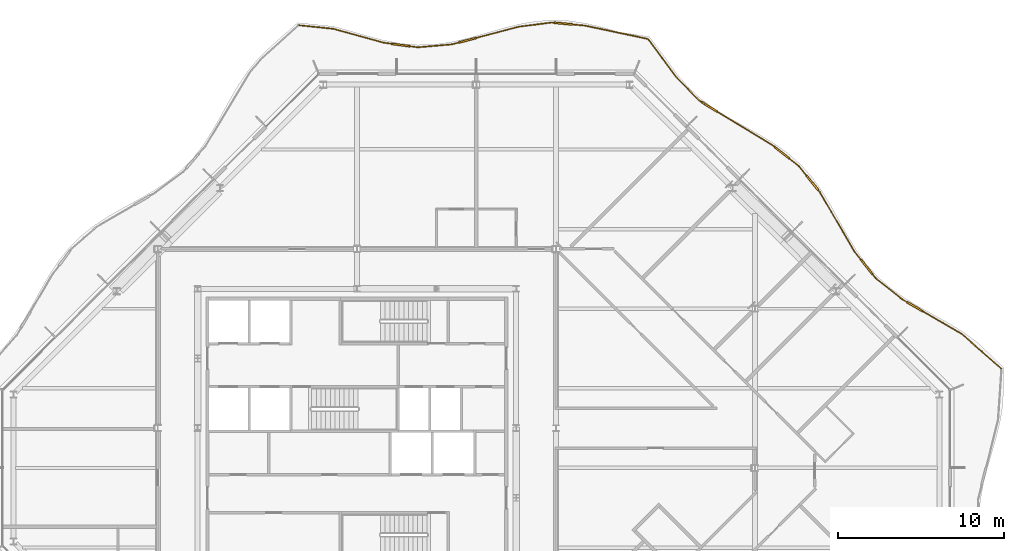
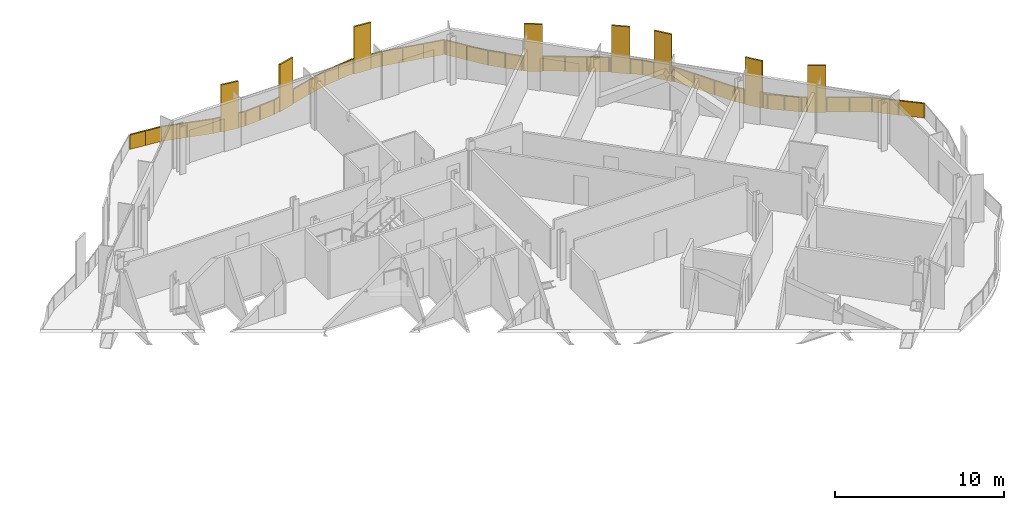
# One storey, part 17 of 17: 2 railings.
"""IFC4 building model written with IfcOpenShell, lengths in metres."""

from ifc_helpers import new_model, si_unit, direction, frame, origin, origin_2d, place, context, subcontext, project, spatial, polyline, rectangle, outline, extrude, material, type_object, element, save


model = new_model("IFC4")

# Units and contexts
model_context = context("Model", 3, precision=1e-05, world=origin(), true_north=direction((0.0, 1.0)))
body_context = subcontext(model_context, "Body", "Model", "MODEL_VIEW")
ifc_project = project(units=[si_unit("LENGTHUNIT", "METRE"), si_unit("AREAUNIT", "SQUARE_METRE"), si_unit("VOLUMEUNIT", "CUBIC_METRE"), si_unit("PLANEANGLEUNIT", "RADIAN"), si_unit("MASSUNIT", "GRAM", prefix="KILO")], contexts=[model_context])

# Site, building, storey
site_placement = place(None, origin())
site = spatial("IfcSite", under=ifc_project, at=site_placement, CompositionType="ELEMENT")
building_placement = place(site_placement, origin())
building = spatial("IfcBuilding", under=site, at=building_placement, Name="Cairn Pilgrim Tower", CompositionType="ELEMENT")
storey_placement = place(building_placement, frame((0.0, 0.0, 243.0)))
storey = spatial("IfcBuildingStorey", under=building, at=storey_placement, Name="L62", CompositionType="ELEMENT", Elevation=243.0)

# Railings
ifc_material = material(Name="Bronze anodised aluminium rail, posts and fin screens with laminated glass infill", Category="aluminium")
railing_type = type_object("IfcRailingType", Name="BALCONY GUARD WITH FIN SCREENS", PredefinedType="GUARDRAIL", material=ifc_material)
railing_1_placement = place(storey_placement, frame((46.045166015625, 5.978759765625, 0.0)))
element("IfcRailing", 1, at=railing_1_placement, inside=storey, type_object=railing_type, Name="Balcony guard BGF-3 with fin screens", PredefinedType="GUARDRAIL", context=body_context, shape_type="SweptSolid", body=[
    extrude(rectangle(XDim=0.050048828125, YDim=0.050048828125, at=origin_2d()), frame((0.0, 0.0, 1.0751953125), z_axis=(-0.751598432487, 0.659620948942, 0.0), x_axis=(-0.659620948942, -0.751598432487, 0.0)), (0.0, 0.0, 1.0), 3.171875),
    extrude(rectangle(XDim=1.10009765625, YDim=0.110107421875, at=origin_2d()), frame((-5.202880859375, 3.730712890625, 0.0), z_axis=(0.0, 0.0, 1.0), x_axis=(-0.864559393081, 0.502530651638, 0.0)), (0.0, 0.0, 1.0), 3.39990234375),
    extrude(rectangle(XDim=0.050048828125, YDim=0.050048828125, at=origin_2d()), frame((-2.384033203125, 2.09228515625, 1.0751953125), z_axis=(-0.864559393081, 0.502530651638, 0.0), x_axis=(-0.502530651638, -0.864559393081, 0.0)), (0.0, 0.0, 1.0), 2.71044921875),
    extrude(rectangle(XDim=0.050048828125, YDim=0.050048828125, at=origin_2d()), frame((-5.67822265625, 4.007080078125, 1.0751953125), z_axis=(-0.864559393081, 0.502530651638, 0.0), x_axis=(-0.502530651638, -0.864559393081, 0.0)), (0.0, 0.0, 1.0), 0.347900390625),
    extrude(rectangle(XDim=0.050048828125, YDim=0.050048828125, at=origin_2d()), frame((-5.97900390625, 4.181884765625, 1.0751953125), z_axis=(-0.780543571539, 0.625101378122, 0.0), x_axis=(-0.625101378122, -0.780543571539, 0.0)), (0.0, 0.0, 1.0), 2.05126953125),
    extrude(rectangle(XDim=1.10009765625, YDim=0.110107421875, at=origin_2d()), frame((-8.1171875, 6.13427734375, 0.0), z_axis=(0.0, 0.0, 1.0), x_axis=(-0.625434995338, 0.78027627582, 0.0)), (0.0, 0.0, 1.0), 3.39990234375),
    extrude(rectangle(XDim=0.050048828125, YDim=0.050048828125, at=origin_2d()), frame((-7.580078125, 5.464111328125, 1.0751953125), z_axis=(-0.625434995338, 0.78027627582, 0.0), x_axis=(-0.78027627582, -0.625434995338, 0.0)), (0.0, 0.0, 1.0), 0.308837890625),
    extrude(rectangle(XDim=0.050048828125, YDim=0.050048828125, at=origin_2d()), frame((-8.461181640625, 6.5634765625, 1.0751953125), z_axis=(-0.625434995338, 0.78027627582, 0.0), x_axis=(-0.78027627582, -0.625434995338, 0.0)), (0.0, 0.0, 1.0), 0.642333984375),
    extrude(rectangle(XDim=0.050048828125, YDim=0.050048828125, at=origin_2d()), frame((-8.863037109375, 7.064697265625, 1.0751953125), z_axis=(-0.502495014127, 0.864580106628, 0.0), x_axis=(-0.864580106628, -0.502495014127, 0.0)), (0.0, 0.0, 1.0), 4.160888671875),
    extrude(rectangle(XDim=1.10009765625, YDim=0.110107421875, at=origin_2d()), frame((-11.39404296875, 11.20654296875, 0.0), z_axis=(0.0, 0.0, 1.0), x_axis=(-0.628761518561, 0.777598194942, 0.0)), (0.0, 0.0, 1.0), 3.39990234375),
    extrude(rectangle(XDim=0.050048828125, YDim=0.050048828125, at=origin_2d()), frame((-10.953857421875, 10.662109375, 1.0751953125), z_axis=(-0.628761518561, 0.777598194942, 0.0), x_axis=(-0.777598194942, -0.628761518561, 0.0)), (0.0, 0.0, 1.0), 0.150146484375),
    extrude(rectangle(XDim=0.050048828125, YDim=0.050048828125, at=origin_2d()), frame((-11.739990234375, 11.63427734375, 1.0751953125), z_axis=(-0.628761518561, 0.777598194942, 0.0), x_axis=(-0.777598194942, -0.628761518561, 0.0)), (0.0, 0.0, 1.0), 0.744384765625),
    extrude(rectangle(XDim=1.10009765625, YDim=0.110107421875, at=origin_2d()), frame((-13.22509765625, 13.0205078125, 0.0), z_axis=(0.0, 0.0, 1.0), x_axis=(-0.78322281061, 0.62174112695, 0.0)), (0.0, 0.0, 1.0), 3.39990234375),
    extrude(rectangle(XDim=0.050048828125, YDim=0.050048828125, at=origin_2d()), frame((-12.2080078125, 12.213134765625, 1.0751953125), z_axis=(-0.78322281061, 0.62174112695, 0.0), x_axis=(-0.62174112695, -0.78322281061, 0.0)), (0.0, 0.0, 1.0), 0.74853515625),
    extrude(rectangle(XDim=0.050048828125, YDim=0.050048828125, at=origin_2d()), frame((-13.656005859375, 13.362548828125, 1.0751953125), z_axis=(-0.78322281061, 0.62174112695, 0.0), x_axis=(-0.62174112695, -0.78322281061, 0.0)), (0.0, 0.0, 1.0), 0.150146484375),
    extrude(rectangle(XDim=1.10009765625, YDim=0.110107421875, at=origin_2d()), frame((-17.602294921875, 15.788818359375, 0.0), z_axis=(0.0, 0.0, 1.0), x_axis=(-0.853965647619, 0.520329388644, 0.0)), (0.0, 0.0, 1.0), 3.39990234375),
    extrude(rectangle(XDim=0.050048828125, YDim=0.050048828125, at=origin_2d()), frame((-13.7734375, 13.455810546875, 1.0751953125), z_axis=(-0.853965647619, 0.520329388644, 0.0), x_axis=(-0.520329388644, -0.853965647619, 0.0)), (0.0, 0.0, 1.0), 3.933837890625),
    extrude(rectangle(XDim=0.050048828125, YDim=0.050048828125, at=origin_2d()), frame((-18.072021484375, 16.074951171875, 1.0751953125), z_axis=(-0.853965647619, 0.520329388644, 0.0), x_axis=(-0.520329388644, -0.853965647619, 0.0)), (0.0, 0.0, 1.0), 0.14990234375),
    extrude(rectangle(XDim=0.050048828125, YDim=0.050048828125, at=origin_2d()), frame((-18.2001953125, 16.153076171875, 1.0751953125), z_axis=(-0.699951774682, 0.714190109928, 0.0), x_axis=(-0.714190109928, -0.699951774682, 0.0)), (0.0, 0.0, 1.0), 2.04052734375),
    extrude(rectangle(XDim=0.050048828125, YDim=0.050048828125, at=origin_2d()), frame((-19.62841796875, 17.6103515625, 1.0751953125), z_axis=(-0.594838435105, 0.803845281209, 0.0), x_axis=(-0.803845281209, -0.594838435105, 0.0)), (0.0, 0.0, 1.0), 2.761474609375),
    extrude(rectangle(XDim=0.050048828125, YDim=0.050048828125, at=origin_2d()), origin(), (0.0, 0.0, 1.0), 1.050048828125),
    extrude(rectangle(XDim=0.050048828125, YDim=0.050048828125, at=origin_2d()), frame((-1.19189453125, 1.046142578125, 0.0)), (0.0, 0.0, 1.0), 1.050048828125),
    extrude(rectangle(XDim=0.050048828125, YDim=0.050048828125, at=origin_2d()), frame((-2.384033203125, 2.09228515625, 0.0)), (0.0, 0.0, 1.0), 1.050048828125),
    extrude(rectangle(XDim=0.050048828125, YDim=0.050048828125, at=origin_2d()), frame((-3.544921875, 2.76708984375, 0.0)), (0.0, 0.0, 1.0), 1.050048828125),
    extrude(rectangle(XDim=0.050048828125, YDim=0.050048828125, at=origin_2d()), frame((-4.70556640625, 3.441650390625, 0.0)), (0.0, 0.0, 1.0), 1.050048828125),
    extrude(rectangle(XDim=0.050048828125, YDim=0.050048828125, at=origin_2d()), frame((-5.699951171875, 4.019775390625, 0.0)), (0.0, 0.0, 1.0), 1.050048828125),
    extrude(rectangle(XDim=0.050048828125, YDim=0.050048828125, at=origin_2d()), frame((-5.97900390625, 4.181884765625, 0.0)), (0.0, 0.0, 1.0), 1.050048828125),
    extrude(rectangle(XDim=0.050048828125, YDim=0.050048828125, at=origin_2d()), frame((-6.779541015625, 4.822998046875, 0.0)), (0.0, 0.0, 1.0), 1.050048828125),
    extrude(rectangle(XDim=0.050048828125, YDim=0.050048828125, at=origin_2d()), frame((-7.580078125, 5.464111328125, 0.0)), (0.0, 0.0, 1.0), 1.050048828125),
    extrude(rectangle(XDim=0.050048828125, YDim=0.050048828125, at=origin_2d()), frame((-7.757568359375, 5.685546875, 0.0)), (0.0, 0.0, 1.0), 1.050048828125),
    extrude(rectangle(XDim=0.050048828125, YDim=0.050048828125, at=origin_2d()), frame((-8.476806640625, 6.5830078125, 0.0)), (0.0, 0.0, 1.0), 1.050048828125),
    extrude(rectangle(XDim=0.050048828125, YDim=0.050048828125, at=origin_2d()), frame((-8.863037109375, 7.064697265625, 0.0)), (0.0, 0.0, 1.0), 1.050048828125),
    extrude(rectangle(XDim=0.050048828125, YDim=0.050048828125, at=origin_2d()), frame((-9.56005859375, 8.263916015625, 0.0)), (0.0, 0.0, 1.0), 1.050048828125),
    extrude(rectangle(XDim=0.050048828125, YDim=0.050048828125, at=origin_2d()), frame((-10.2568359375, 9.462890625, 0.0)), (0.0, 0.0, 1.0), 1.050048828125),
    extrude(rectangle(XDim=0.050048828125, YDim=0.050048828125, at=origin_2d()), frame((-10.953857421875, 10.662109375, 0.0)), (0.0, 0.0, 1.0), 1.050048828125),
    extrude(rectangle(XDim=0.050048828125, YDim=0.050048828125, at=origin_2d()), frame((-11.032470703125, 10.759521484375, 0.0)), (0.0, 0.0, 1.0), 1.050048828125),
    extrude(rectangle(XDim=0.050048828125, YDim=0.050048828125, at=origin_2d()), frame((-11.755615234375, 11.65380859375, 0.0)), (0.0, 0.0, 1.0), 1.050048828125),
    extrude(rectangle(XDim=0.050048828125, YDim=0.050048828125, at=origin_2d()), frame((-12.2080078125, 12.213134765625, 0.0)), (0.0, 0.0, 1.0), 1.050048828125),
    extrude(rectangle(XDim=0.050048828125, YDim=0.050048828125, at=origin_2d()), frame((-12.774658203125, 12.6630859375, 0.0)), (0.0, 0.0, 1.0), 1.050048828125),
    extrude(rectangle(XDim=0.050048828125, YDim=0.050048828125, at=origin_2d()), frame((-13.675537109375, 13.378173828125, 0.0)), (0.0, 0.0, 1.0), 1.050048828125),
    extrude(rectangle(XDim=0.050048828125, YDim=0.050048828125, at=origin_2d()), frame((-13.7734375, 13.455810546875, 0.0)), (0.0, 0.0, 1.0), 1.050048828125),
    extrude(rectangle(XDim=0.050048828125, YDim=0.050048828125, at=origin_2d()), frame((-14.885986328125, 14.1337890625, 0.0)), (0.0, 0.0, 1.0), 1.050048828125),
    extrude(rectangle(XDim=0.050048828125, YDim=0.050048828125, at=origin_2d()), frame((-15.998779296875, 14.811767578125, 0.0)), (0.0, 0.0, 1.0), 1.050048828125),
    extrude(rectangle(XDim=0.050048828125, YDim=0.050048828125, at=origin_2d()), frame((-17.111328125, 15.48974609375, 0.0)), (0.0, 0.0, 1.0), 1.050048828125),
    extrude(rectangle(XDim=0.050048828125, YDim=0.050048828125, at=origin_2d()), frame((-18.093505859375, 16.088134765625, 0.0)), (0.0, 0.0, 1.0), 1.050048828125),
    extrude(rectangle(XDim=0.050048828125, YDim=0.050048828125, at=origin_2d()), frame((-18.2001953125, 16.153076171875, 0.0)), (0.0, 0.0, 1.0), 1.050048828125),
    extrude(rectangle(XDim=0.050048828125, YDim=0.050048828125, at=origin_2d()), frame((-18.914306640625, 16.8818359375, 0.0)), (0.0, 0.0, 1.0), 1.050048828125),
    extrude(rectangle(XDim=0.050048828125, YDim=0.050048828125, at=origin_2d()), frame((-19.62841796875, 17.6103515625, 0.0)), (0.0, 0.0, 1.0), 1.050048828125),
    extrude(rectangle(XDim=0.050048828125, YDim=0.050048828125, at=origin_2d()), frame((-20.44970703125, 18.72021484375, 0.0)), (0.0, 0.0, 1.0), 1.050048828125),
    extrude(rectangle(XDim=0.050048828125, YDim=0.050048828125, at=origin_2d()), frame((-21.27099609375, 19.830078125, 0.0)), (0.0, 0.0, 1.0), 1.050048828125),
    extrude(outline(polyline([(0.02490234375, 0.0), (1.56103515625, 0.0), (1.56103515625, 1.050048828125), (0.02490234375, 1.050048828125), (0.02490234375, 0.0)])), frame((-0.00390625, -0.00439453125, 0.0), z_axis=(0.659620948942, 0.751598432487, 0.0), x_axis=(-0.751598432487, 0.659620948942, 0.0)), (0.0, 0.0, 1.0), 0.011962890625),
    extrude(outline(polyline([(0.02490234375, 0.0), (1.56103515625, 0.0), (1.56103515625, 1.050048828125), (0.02490234375, 1.050048828125), (0.02490234375, 0.0)])), frame((-1.196044921875, 1.041748046875, 0.0), z_axis=(0.659620948942, 0.751598432487, 0.0), x_axis=(-0.751598432487, 0.659620948942, 0.0)), (0.0, 0.0, 1.0), 0.011962890625),
    extrude(outline(polyline([(0.02490234375, 0.0), (1.317626953125, 0.0), (1.317626953125, 1.050048828125), (0.02490234375, 1.050048828125), (0.02490234375, 0.0)])), frame((-2.386962890625, 2.087158203125, 0.0), z_axis=(0.502530651638, 0.864559393081, 0.0), x_axis=(-0.864559393081, 0.502530651638, 0.0)), (0.0, 0.0, 1.0), 0.011962890625),
    extrude(outline(polyline([(0.02490234375, 0.0), (1.317626953125, 0.0), (1.317626953125, 1.050048828125), (0.02490234375, 1.050048828125), (0.02490234375, 0.0)])), frame((-3.5478515625, 2.761962890625, 0.0), z_axis=(0.502530651638, 0.864559393081, 0.0), x_axis=(-0.864559393081, 0.502530651638, 0.0)), (0.0, 0.0, 1.0), 0.011962890625),
    extrude(outline(polyline([(0.02490234375, 0.0), (0.2978515625, 0.0), (0.2978515625, 1.050048828125), (0.02490234375, 1.050048828125), (0.02490234375, 0.0)])), frame((-5.702880859375, 4.014404296875, 0.0), z_axis=(0.502530651638, 0.864559393081, 0.0), x_axis=(-0.864559393081, 0.502530651638, 0.0)), (0.0, 0.0, 1.0), 0.011962890625),
    extrude(outline(polyline([(0.02490234375, 0.0), (1.00048828125, 0.0), (1.00048828125, 1.050048828125), (0.02490234375, 1.050048828125), (0.02490234375, 0.0)])), frame((-5.982666015625, 4.17724609375, 0.0), z_axis=(0.625101378122, 0.780543571539, 0.0), x_axis=(-0.780543571539, 0.625101378122, 0.0)), (0.0, 0.0, 1.0), 0.011962890625),
    extrude(outline(polyline([(0.02490234375, 0.0), (1.00048828125, 0.0), (1.00048828125, 1.050048828125), (0.02490234375, 1.050048828125), (0.02490234375, 0.0)])), frame((-6.783203125, 4.818359375, 0.0), z_axis=(0.625101378122, 0.780543571539, 0.0), x_axis=(-0.780543571539, 0.625101378122, 0.0)), (0.0, 0.0, 1.0), 0.011962890625),
    extrude(outline(polyline([(0.02490234375, 0.0), (0.2587890625, 0.0), (0.2587890625, 1.050048828125), (0.02490234375, 1.050048828125), (0.02490234375, 0.0)])), frame((-7.584716796875, 5.46044921875, 0.0), z_axis=(0.78027627582, 0.625434995338, 0.0), x_axis=(-0.625434995338, 0.78027627582, 0.0)), (0.0, 0.0, 1.0), 0.011962890625),
    extrude(outline(polyline([(0.02490234375, 0.0), (0.59228515625, 0.0), (0.59228515625, 1.050048828125), (0.02490234375, 1.050048828125), (0.02490234375, 0.0)])), frame((-8.4814453125, 6.5791015625, 0.0), z_axis=(0.78027627582, 0.625434995338, 0.0), x_axis=(-0.625434995338, 0.78027627582, 0.0)), (0.0, 0.0, 1.0), 0.011962890625),
    extrude(outline(polyline([(0.02490234375, 0.0), (1.36181640625, 0.0), (1.36181640625, 1.050048828125), (0.02490234375, 1.050048828125), (0.02490234375, 0.0)])), frame((-8.8681640625, 7.061767578125, 0.0), z_axis=(0.864580106628, 0.502495014127, 0.0), x_axis=(-0.502495014127, 0.864580106628, 0.0)), (0.0, 0.0, 1.0), 0.011962890625),
    extrude(outline(polyline([(0.02490234375, 0.0), (1.36181640625, 0.0), (1.36181640625, 1.050048828125), (0.02490234375, 1.050048828125), (0.02490234375, 0.0)])), frame((-9.565185546875, 8.2607421875, 0.0), z_axis=(0.864580106628, 0.502495014127, 0.0), x_axis=(-0.502495014127, 0.864580106628, 0.0)), (0.0, 0.0, 1.0), 0.011962890625),
    extrude(outline(polyline([(0.02490234375, 0.0), (1.36181640625, 0.0), (1.36181640625, 1.050048828125), (0.02490234375, 1.050048828125), (0.02490234375, 0.0)])), frame((-10.26220703125, 9.4599609375, 0.0), z_axis=(0.864580106628, 0.502495014127, 0.0), x_axis=(-0.502495014127, 0.864580106628, 0.0)), (0.0, 0.0, 1.0), 0.011962890625),
    extrude(outline(polyline([(0.02490234375, 0.0), (0.10009765625, 0.0), (0.10009765625, 1.050048828125), (0.02490234375, 1.050048828125), (0.02490234375, 0.0)])), frame((-10.95849609375, 10.658447265625, 0.0), z_axis=(0.777598194942, 0.628761518561, 0.0), x_axis=(-0.628761518561, 0.777598194942, 0.0)), (0.0, 0.0, 1.0), 0.011962890625),
    extrude(outline(polyline([(0.02490234375, 0.0), (0.6943359375, 0.0), (0.6943359375, 1.050048828125), (0.02490234375, 1.050048828125), (0.02490234375, 0.0)])), frame((-11.76025390625, 11.64990234375, 0.0), z_axis=(0.777598194942, 0.628761518561, 0.0), x_axis=(-0.628761518561, 0.777598194942, 0.0)), (0.0, 0.0, 1.0), 0.011962890625),
    extrude(outline(polyline([(0.02490234375, 0.0), (0.698486328125, 0.0), (0.698486328125, 1.050048828125), (0.02490234375, 1.050048828125), (0.02490234375, 0.0)])), frame((-12.211669921875, 12.20849609375, 0.0), z_axis=(0.62174112695, 0.78322281061, 0.0), x_axis=(-0.78322281061, 0.62174112695, 0.0)), (0.0, 0.0, 1.0), 0.011962890625),
    extrude(outline(polyline([(0.02490234375, 0.0), (0.10009765625, 0.0), (0.10009765625, 1.050048828125), (0.02490234375, 1.050048828125), (0.02490234375, 0.0)])), frame((-13.67919921875, 13.373291015625, 0.0), z_axis=(0.62174112695, 0.78322281061, 0.0), x_axis=(-0.78322281061, 0.62174112695, 0.0)), (0.0, 0.0, 1.0), 0.011962890625),
    extrude(outline(polyline([(0.02490234375, 0.0), (1.27783203125, 0.0), (1.27783203125, 1.050048828125), (0.02490234375, 1.050048828125), (0.02490234375, 0.0)])), frame((-13.776611328125, 13.45068359375, 0.0), z_axis=(0.520329388644, 0.853965647619, 0.0), x_axis=(-0.853965647619, 0.520329388644, 0.0)), (0.0, 0.0, 1.0), 0.011962890625),
    extrude(outline(polyline([(0.02490234375, 0.0), (1.27783203125, 0.0), (1.27783203125, 1.050048828125), (0.02490234375, 1.050048828125), (0.02490234375, 0.0)])), frame((-14.88916015625, 14.128662109375, 0.0), z_axis=(0.520329388644, 0.853965647619, 0.0), x_axis=(-0.853965647619, 0.520329388644, 0.0)), (0.0, 0.0, 1.0), 0.011962890625),
    extrude(outline(polyline([(0.02490234375, 0.0), (1.27783203125, 0.0), (1.27783203125, 1.050048828125), (0.02490234375, 1.050048828125), (0.02490234375, 0.0)])), frame((-16.001708984375, 14.806640625, 0.0), z_axis=(0.520329388644, 0.853965647619, 0.0), x_axis=(-0.853965647619, 0.520329388644, 0.0)), (0.0, 0.0, 1.0), 0.011962890625),
    extrude(outline(polyline([(0.02490234375, 0.0), (0.099853515625, 0.0), (0.099853515625, 1.050048828125), (0.02490234375, 1.050048828125), (0.02490234375, 0.0)])), frame((-18.0966796875, 16.0830078125, 0.0), z_axis=(0.520329388644, 0.853965647619, 0.0), x_axis=(-0.853965647619, 0.520329388644, 0.0)), (0.0, 0.0, 1.0), 0.011962890625),
    extrude(outline(polyline([(0.02490234375, 0.0), (0.9951171875, 0.0), (0.9951171875, 1.050048828125), (0.02490234375, 1.050048828125), (0.02490234375, 0.0)])), frame((-18.204345703125, 16.14892578125, 0.0), z_axis=(0.714190109928, 0.699951774682, 0.0), x_axis=(-0.699951774682, 0.714190109928, 0.0)), (0.0, 0.0, 1.0), 0.011962890625),
    extrude(outline(polyline([(0.02490234375, 0.0), (0.9951171875, 0.0), (0.9951171875, 1.050048828125), (0.02490234375, 1.050048828125), (0.02490234375, 0.0)])), frame((-18.91845703125, 16.87744140625, 0.0), z_axis=(0.714190109928, 0.699951774682, 0.0), x_axis=(-0.699951774682, 0.714190109928, 0.0)), (0.0, 0.0, 1.0), 0.011962890625),
    extrude(outline(polyline([(0.02490234375, 0.0), (1.355712890625, 0.0), (1.355712890625, 1.050048828125), (0.02490234375, 1.050048828125), (0.02490234375, 0.0)])), frame((-19.63330078125, 17.606689453125, 0.0), z_axis=(0.803845281209, 0.594838435105, 0.0), x_axis=(-0.594838435105, 0.803845281209, 0.0)), (0.0, 0.0, 1.0), 0.011962890625),
    extrude(outline(polyline([(0.02490234375, 0.0), (1.355712890625, 0.0), (1.355712890625, 1.050048828125), (0.02490234375, 1.050048828125), (0.02490234375, 0.0)])), frame((-20.45458984375, 18.716552734375, 0.0), z_axis=(0.803845281209, 0.594838435105, 0.0), x_axis=(-0.594838435105, 0.803845281209, 0.0)), (0.0, 0.0, 1.0), 0.011962890625),
])
railing_2_placement = place(storey_placement, frame((24.73828125, 25.85693359375, 0.0)))
element("IfcRailing", 2, at=railing_2_placement, inside=storey, type_object=railing_type, Name="Balcony guard BGF-4 with fin screens", PredefinedType="GUARDRAIL", context=body_context, shape_type="SweptSolid", body=[
    extrude(rectangle(XDim=0.050048828125, YDim=0.050048828125, at=origin_2d()), frame((0.0, 0.0, 1.0751953125), z_axis=(-0.978324682493, 0.207076835074, 0.0), x_axis=(-0.207076835074, -0.978324682493, 0.0)), (0.0, 0.0, 1.0), 3.87646484375),
    extrude(rectangle(XDim=1.10009765625, YDim=0.110107421875, at=origin_2d()), frame((-5.091552734375, 0.925048828125, 0.0), z_axis=(0.0, 0.0, 1.0), x_axis=(-0.995594528635, 0.093763183348, 0.0)), (0.0, 0.0, 1.0), 3.39990234375),
    extrude(rectangle(XDim=0.050048828125, YDim=0.050048828125, at=origin_2d()), frame((-3.79248046875, 0.802734375, 1.0751953125), z_axis=(-0.995594528635, 0.093763183348, 0.0), x_axis=(-0.093763183348, -0.995594528635, 0.0)), (0.0, 0.0, 1.0), 0.7548828125),
    extrude(rectangle(XDim=0.050048828125, YDim=0.050048828125, at=origin_2d()), frame((-5.63916015625, 0.9765625, 1.0751953125), z_axis=(-0.995594528635, 0.093763183348, 0.0), x_axis=(-0.093763183348, -0.995594528635, 0.0)), (0.0, 0.0, 1.0), 0.150146484375),
    extrude(rectangle(XDim=0.050048828125, YDim=0.050048828125, at=origin_2d()), frame((-5.78857421875, 0.99072265625, 1.0751953125), z_axis=(-0.992010349211, -0.126156518094, 0.0), x_axis=(0.126156518094, -0.992010349211, 0.0)), (0.0, 0.0, 1.0), 2.0107421875),
    extrude(rectangle(XDim=1.10009765625, YDim=0.110107421875, at=origin_2d()), frame((-10.87353515625, -0.077880859375, 0.0), z_axis=(0.0, 0.0, 1.0), x_axis=(-0.966948932904, -0.254970118164, 0.0)), (0.0, 0.0, 1.0), 3.39990234375),
    extrude(rectangle(XDim=0.050048828125, YDim=0.050048828125, at=origin_2d()), frame((-7.783203125, 0.737060546875, 1.0751953125), z_axis=(-0.966948932904, -0.254970118164, 0.0), x_axis=(0.254970118164, -0.966948932904, 0.0)), (0.0, 0.0, 1.0), 2.64599609375),
    extrude(rectangle(XDim=0.050048828125, YDim=0.050048828125, at=origin_2d()), frame((-11.4052734375, -0.218017578125, 1.0751953125), z_axis=(-0.966948932904, -0.254970118164, 0.0), x_axis=(0.254970118164, -0.966948932904, 0.0)), (0.0, 0.0, 1.0), 0.4375),
    extrude(rectangle(XDim=0.050048828125, YDim=0.050048828125, at=origin_2d()), frame((-11.828369140625, -0.32958984375, 1.0751953125), z_axis=(-0.996386054197, -0.084940161305, 0.0), x_axis=(0.084940161305, -0.996386054197, 0.0)), (0.0, 0.0, 1.0), 2.057861328125),
    extrude(rectangle(XDim=1.10009765625, YDim=0.110107421875, at=origin_2d()), frame((-14.90234375, -0.36572265625, 0.0), z_axis=(0.0, 0.0, 1.0), x_axis=(-0.990933421448, 0.134353839755, 0.0)), (0.0, 0.0, 1.0), 3.39990234375),
    extrude(rectangle(XDim=0.050048828125, YDim=0.050048828125, at=origin_2d()), frame((-13.87890625, -0.50439453125, 1.0751953125), z_axis=(-0.990933421448, 0.134353839755, 0.0), x_axis=(-0.134353839755, -0.990933421448, 0.0)), (0.0, 0.0, 1.0), 0.48291015625),
    extrude(rectangle(XDim=0.050048828125, YDim=0.050048828125, at=origin_2d()), frame((-15.447509765625, -0.291748046875, 1.0751953125), z_axis=(-0.990933421448, 0.134353839755, 0.0), x_axis=(-0.134353839755, -0.990933421448, 0.0)), (0.0, 0.0, 1.0), 0.483154296875),
    extrude(rectangle(XDim=0.050048828125, YDim=0.050048828125, at=origin_2d()), frame((-15.92626953125, -0.226806640625, 1.0751953125), z_axis=(-0.963870974004, 0.266369565591, 0.0), x_axis=(-0.266369565591, -0.963870974004, 0.0)), (0.0, 0.0, 1.0), 3.142822265625),
    extrude(rectangle(XDim=0.050048828125, YDim=0.050048828125, at=origin_2d()), frame((-18.95556640625, 0.6103515625, 1.0751953125), z_axis=(-0.99476228795, 0.102215412113, 0.0), x_axis=(-0.102215412113, -0.99476228795, 0.0)), (0.0, 0.0, 1.0), 2.058837890625),
    extrude(rectangle(XDim=0.050048828125, YDim=0.050048828125, at=origin_2d()), origin(), (0.0, 0.0, 1.0), 1.050048828125),
    extrude(rectangle(XDim=0.050048828125, YDim=0.050048828125, at=origin_2d()), frame((-1.26416015625, 0.267578125, 0.0)), (0.0, 0.0, 1.0), 1.050048828125),
    extrude(rectangle(XDim=0.050048828125, YDim=0.050048828125, at=origin_2d()), frame((-2.5283203125, 0.53515625, 0.0)), (0.0, 0.0, 1.0), 1.050048828125),
    extrude(rectangle(XDim=0.050048828125, YDim=0.050048828125, at=origin_2d()), frame((-3.79248046875, 0.802734375, 0.0)), (0.0, 0.0, 1.0), 1.050048828125),
    extrude(rectangle(XDim=0.050048828125, YDim=0.050048828125, at=origin_2d()), frame((-4.51904296875, 0.87109375, 0.0)), (0.0, 0.0, 1.0), 1.050048828125),
    extrude(rectangle(XDim=0.050048828125, YDim=0.050048828125, at=origin_2d()), frame((-5.6640625, 0.97900390625, 0.0)), (0.0, 0.0, 1.0), 1.050048828125),
    extrude(rectangle(XDim=0.050048828125, YDim=0.050048828125, at=origin_2d()), frame((-5.78857421875, 0.99072265625, 0.0)), (0.0, 0.0, 1.0), 1.050048828125),
    extrude(rectangle(XDim=0.050048828125, YDim=0.050048828125, at=origin_2d()), frame((-6.785888671875, 0.86376953125, 0.0)), (0.0, 0.0, 1.0), 1.050048828125),
    extrude(rectangle(XDim=0.050048828125, YDim=0.050048828125, at=origin_2d()), frame((-7.783203125, 0.737060546875, 0.0)), (0.0, 0.0, 1.0), 1.050048828125),
    extrude(rectangle(XDim=0.050048828125, YDim=0.050048828125, at=origin_2d()), frame((-9.05029296875, 0.40283203125, 0.0)), (0.0, 0.0, 1.0), 1.050048828125),
    extrude(rectangle(XDim=0.050048828125, YDim=0.050048828125, at=origin_2d()), frame((-10.317626953125, 0.06884765625, 0.0)), (0.0, 0.0, 1.0), 1.050048828125),
    extrude(rectangle(XDim=0.050048828125, YDim=0.050048828125, at=origin_2d()), frame((-11.4296875, -0.224365234375, 0.0)), (0.0, 0.0, 1.0), 1.050048828125),
    extrude(rectangle(XDim=0.050048828125, YDim=0.050048828125, at=origin_2d()), frame((-11.828369140625, -0.32958984375, 0.0)), (0.0, 0.0, 1.0), 1.050048828125),
    extrude(rectangle(XDim=0.050048828125, YDim=0.050048828125, at=origin_2d()), frame((-12.853515625, -0.4169921875, 0.0)), (0.0, 0.0, 1.0), 1.050048828125),
    extrude(rectangle(XDim=0.050048828125, YDim=0.050048828125, at=origin_2d()), frame((-13.87890625, -0.50439453125, 0.0)), (0.0, 0.0, 1.0), 1.050048828125),
    extrude(rectangle(XDim=0.050048828125, YDim=0.050048828125, at=origin_2d()), frame((-14.33251953125, -0.44287109375, 0.0)), (0.0, 0.0, 1.0), 1.050048828125),
    extrude(rectangle(XDim=0.050048828125, YDim=0.050048828125, at=origin_2d()), frame((-15.47216796875, -0.288330078125, 0.0)), (0.0, 0.0, 1.0), 1.050048828125),
    extrude(rectangle(XDim=0.050048828125, YDim=0.050048828125, at=origin_2d()), frame((-15.92626953125, -0.226806640625, 0.0)), (0.0, 0.0, 1.0), 1.050048828125),
    extrude(rectangle(XDim=0.050048828125, YDim=0.050048828125, at=origin_2d()), frame((-17.44091796875, 0.19189453125, 0.0)), (0.0, 0.0, 1.0), 1.050048828125),
    extrude(rectangle(XDim=0.050048828125, YDim=0.050048828125, at=origin_2d()), frame((-18.95556640625, 0.6103515625, 0.0)), (0.0, 0.0, 1.0), 1.050048828125),
    extrude(rectangle(XDim=0.050048828125, YDim=0.050048828125, at=origin_2d()), frame((-19.9794921875, 0.715576171875, 0.0)), (0.0, 0.0, 1.0), 1.050048828125),
    extrude(rectangle(XDim=0.050048828125, YDim=0.050048828125, at=origin_2d()), frame((-21.003662109375, 0.82080078125, 0.0)), (0.0, 0.0, 1.0), 1.050048828125),
    extrude(outline(polyline([(0.02490234375, 0.0), (1.26708984375, 0.0), (1.26708984375, 1.050048828125), (0.02490234375, 1.050048828125), (0.02490234375, 0.0)])), frame((-0.001220703125, -0.005859375, 0.0), z_axis=(0.207076835074, 0.978324682493, 0.0), x_axis=(-0.978324682493, 0.207076835074, 0.0)), (0.0, 0.0, 1.0), 0.011962890625),
    extrude(outline(polyline([(0.02490234375, 0.0), (1.26708984375, 0.0), (1.26708984375, 1.050048828125), (0.02490234375, 1.050048828125), (0.02490234375, 0.0)])), frame((-1.265380859375, 0.26171875, 0.0), z_axis=(0.207076835074, 0.978324682493, 0.0), x_axis=(-0.978324682493, 0.207076835074, 0.0)), (0.0, 0.0, 1.0), 0.011962890625),
    extrude(outline(polyline([(0.02490234375, 0.0), (1.26708984375, 0.0), (1.26708984375, 1.050048828125), (0.02490234375, 1.050048828125), (0.02490234375, 0.0)])), frame((-2.529541015625, 0.529296875, 0.0), z_axis=(0.207076835074, 0.978324682493, 0.0), x_axis=(-0.978324682493, 0.207076835074, 0.0)), (0.0, 0.0, 1.0), 0.011962890625),
    extrude(outline(polyline([(0.02490234375, 0.0), (0.704833984375, 0.0), (0.704833984375, 1.050048828125), (0.02490234375, 1.050048828125), (0.02490234375, 0.0)])), frame((-3.79296875, 0.796875, 0.0), z_axis=(0.093763183348, 0.995594528635, 0.0), x_axis=(-0.995594528635, 0.093763183348, 0.0)), (0.0, 0.0, 1.0), 0.011962890625),
    extrude(outline(polyline([(0.02490234375, 0.0), (0.10009765625, 0.0), (0.10009765625, 1.050048828125), (0.02490234375, 1.050048828125), (0.02490234375, 0.0)])), frame((-5.664794921875, 0.97314453125, 0.0), z_axis=(0.093763183348, 0.995594528635, 0.0), x_axis=(-0.995594528635, 0.093763183348, 0.0)), (0.0, 0.0, 1.0), 0.011962890625),
    extrude(outline(polyline([(0.02490234375, 0.0), (0.980224609375, 0.0), (0.980224609375, 1.050048828125), (0.02490234375, 1.050048828125), (0.02490234375, 0.0)])), frame((-5.787841796875, 0.98486328125, 0.0), z_axis=(-0.126156518094, 0.992010349211, 0.0), x_axis=(-0.992010349211, -0.126156518094, 0.0)), (0.0, 0.0, 1.0), 0.011962890625),
    extrude(outline(polyline([(0.02490234375, 0.0), (0.980224609375, 0.0), (0.980224609375, 1.050048828125), (0.02490234375, 1.050048828125), (0.02490234375, 0.0)])), frame((-6.78515625, 0.85791015625, 0.0), z_axis=(-0.126156518094, 0.992010349211, 0.0), x_axis=(-0.992010349211, -0.126156518094, 0.0)), (0.0, 0.0, 1.0), 0.011962890625),
    extrude(outline(polyline([(0.02490234375, 0.0), (1.285400390625, 0.0), (1.285400390625, 1.050048828125), (0.02490234375, 1.050048828125), (0.02490234375, 0.0)])), frame((-7.78173828125, 0.731201171875, 0.0), z_axis=(-0.254970118164, 0.966948932904, 0.0), x_axis=(-0.966948932904, -0.254970118164, 0.0)), (0.0, 0.0, 1.0), 0.011962890625),
    extrude(outline(polyline([(0.02490234375, 0.0), (1.285400390625, 0.0), (1.285400390625, 1.050048828125), (0.02490234375, 1.050048828125), (0.02490234375, 0.0)])), frame((-9.048828125, 0.397216796875, 0.0), z_axis=(-0.254970118164, 0.966948932904, 0.0), x_axis=(-0.966948932904, -0.254970118164, 0.0)), (0.0, 0.0, 1.0), 0.011962890625),
    extrude(outline(polyline([(0.02490234375, 0.0), (0.387451171875, 0.0), (0.387451171875, 1.050048828125), (0.02490234375, 1.050048828125), (0.02490234375, 0.0)])), frame((-11.427978515625, -0.230224609375, 0.0), z_axis=(-0.254970118164, 0.966948932904, 0.0), x_axis=(-0.966948932904, -0.254970118164, 0.0)), (0.0, 0.0, 1.0), 0.011962890625),
    extrude(outline(polyline([(0.02490234375, 0.0), (1.00390625, 0.0), (1.00390625, 1.050048828125), (0.02490234375, 1.050048828125), (0.02490234375, 0.0)])), frame((-11.827880859375, -0.33544921875, 0.0), z_axis=(-0.084940161305, 0.996386054197, 0.0), x_axis=(-0.996386054197, -0.084940161305, 0.0)), (0.0, 0.0, 1.0), 0.011962890625),
    extrude(outline(polyline([(0.02490234375, 0.0), (1.00390625, 0.0), (1.00390625, 1.050048828125), (0.02490234375, 1.050048828125), (0.02490234375, 0.0)])), frame((-12.85302734375, -0.4228515625, 0.0), z_axis=(-0.084940161305, 0.996386054197, 0.0), x_axis=(-0.996386054197, -0.084940161305, 0.0)), (0.0, 0.0, 1.0), 0.011962890625),
    extrude(outline(polyline([(0.02490234375, 0.0), (0.432861328125, 0.0), (0.432861328125, 1.050048828125), (0.02490234375, 1.050048828125), (0.02490234375, 0.0)])), frame((-13.879638671875, -0.51025390625, 0.0), z_axis=(0.134353839755, 0.990933421448, 0.0), x_axis=(-0.990933421448, 0.134353839755, 0.0)), (0.0, 0.0, 1.0), 0.011962890625),
    extrude(outline(polyline([(0.02490234375, 0.0), (0.43310546875, 0.0), (0.43310546875, 1.050048828125), (0.02490234375, 1.050048828125), (0.02490234375, 0.0)])), frame((-15.47314453125, -0.294189453125, 0.0), z_axis=(0.134353839755, 0.990933421448, 0.0), x_axis=(-0.990933421448, 0.134353839755, 0.0)), (0.0, 0.0, 1.0), 0.011962890625),
    extrude(outline(polyline([(0.02490234375, 0.0), (1.54638671875, 0.0), (1.54638671875, 1.050048828125), (0.02490234375, 1.050048828125), (0.02490234375, 0.0)])), frame((-15.927978515625, -0.232666015625, 0.0), z_axis=(0.266369565591, 0.963870974004, 0.0), x_axis=(-0.963870974004, 0.266369565591, 0.0)), (0.0, 0.0, 1.0), 0.011962890625),
    extrude(outline(polyline([(0.02490234375, 0.0), (1.54638671875, 0.0), (1.54638671875, 1.050048828125), (0.02490234375, 1.050048828125), (0.02490234375, 0.0)])), frame((-17.442626953125, 0.18603515625, 0.0), z_axis=(0.266369565591, 0.963870974004, 0.0), x_axis=(-0.963870974004, 0.266369565591, 0.0)), (0.0, 0.0, 1.0), 0.011962890625),
    extrude(outline(polyline([(0.02490234375, 0.0), (1.00439453125, 0.0), (1.00439453125, 1.050048828125), (0.02490234375, 1.050048828125), (0.02490234375, 0.0)])), frame((-18.956298828125, 0.6044921875, 0.0), z_axis=(0.102215412113, 0.99476228795, 0.0), x_axis=(-0.99476228795, 0.102215412113, 0.0)), (0.0, 0.0, 1.0), 0.011962890625),
    extrude(outline(polyline([(0.02490234375, 0.0), (1.00439453125, 0.0), (1.00439453125, 1.050048828125), (0.02490234375, 1.050048828125), (0.02490234375, 0.0)])), frame((-19.980224609375, 0.709716796875, 0.0), z_axis=(0.102215412113, 0.99476228795, 0.0), x_axis=(-0.99476228795, 0.102215412113, 0.0)), (0.0, 0.0, 1.0), 0.011962890625),
])

save(model, "model.ifc")
